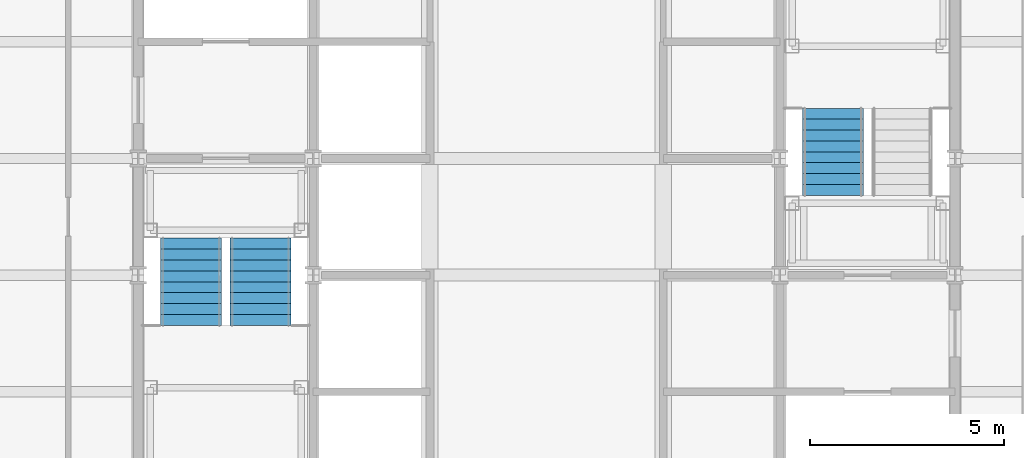
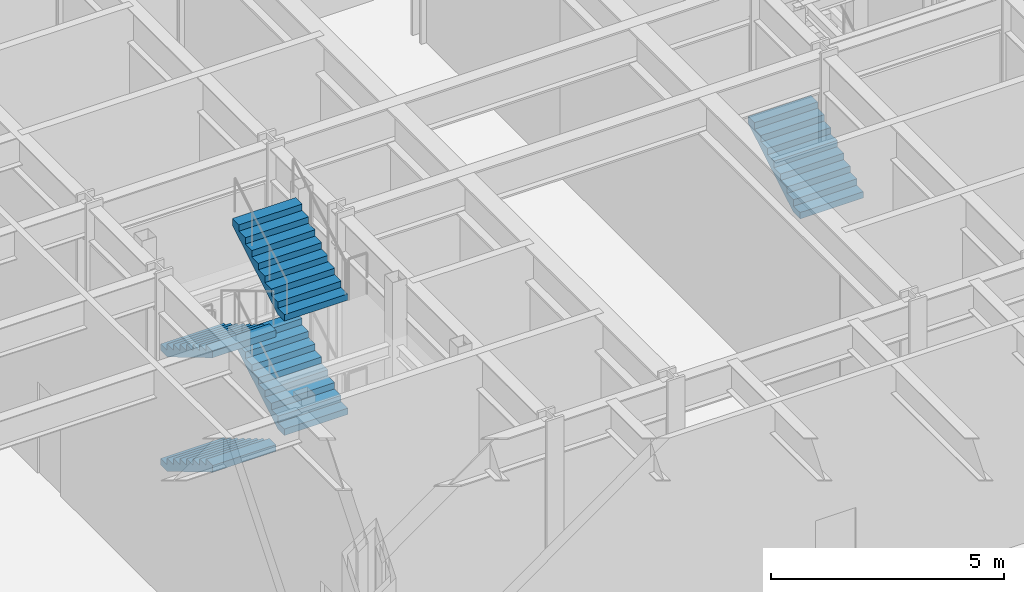
# One storey, part 18 of 28: 5 stair flights, 2 elements without a shape of their own.
"""IFC4 building model written with IfcOpenShell, lengths in metres."""

from ifc_helpers import new_model, si_unit, direction, frame, origin, place, context, subcontext, project, spatial, faceted_brep, material, type_object, element, aggregate, save


model = new_model("IFC4")

# Units and contexts
model_context = context("Model", 3, precision=1e-05, world=origin(), true_north=direction((0.0, 1.0)))
body_context = subcontext(model_context, "Body", "Model", "MODEL_VIEW")
ifc_project = project(units=[si_unit("LENGTHUNIT", "METRE"), si_unit("AREAUNIT", "SQUARE_METRE"), si_unit("VOLUMEUNIT", "CUBIC_METRE"), si_unit("PLANEANGLEUNIT", "RADIAN"), si_unit("MASSUNIT", "GRAM", prefix="KILO")], contexts=[model_context])

# Site, building, storey
site_placement = place(None, origin())
site = spatial("IfcSite", under=ifc_project, at=site_placement, CompositionType="ELEMENT")
building_placement = place(site_placement, origin())
building = spatial("IfcBuilding", under=site, at=building_placement, Name="Chuquiago Exchange Tower", CompositionType="ELEMENT")
storey_placement = place(building_placement, frame((0.0, 0.0, 300.0)))
storey = spatial("IfcBuildingStorey", under=building, at=storey_placement, Name="L67", CompositionType="ELEMENT", Elevation=300.0)

# Stair, stair flights
ifc_material_1 = material(Name="Concrete C30/37, precast", Category="concrete")
stair_type_1 = type_object("IfcStairType", Name="ST1 double half-turn stair 6000", PredefinedType="DOUBLE_RETURN_STAIR", material=ifc_material_1)
stair_1_placement = place(storey_placement, origin())
stair_1 = element("IfcStair", 1, at=stair_1_placement, inside=storey, type_object=stair_type_1, Name="Stair ST1 L67", PredefinedType="DOUBLE_RETURN_STAIR")
ifc_material_2 = material(Name="Concrete C30/37, precast", Category="concrete")
stair_flight_type = type_object("IfcStairFlightType", Name="ST-F flight 1570 for 6000 storey", PredefinedType="STRAIGHT", material=ifc_material_2)
stair_flight_1_placement = place(storey_placement, frame((13.360107421875, 21.949951171875, 0.0), z_axis=(0.0, 0.0, 1.0), x_axis=(0.0, -1.0, 0.0)))
stair_flight_1 = element("IfcStairFlight", 2, at=stair_flight_1_placement, type_object=stair_flight_type, Name="ST1 flight 1", NumberOfRisers=9, NumberOfTreads=8, PredefinedType="STRAIGHT", RiserHeight=0.166666667, TreadLength=0.28, context=body_context, shape_type="Brep", body=[
    faceted_brep([(0.0, 0.78515625, 0.0), (0.0, 0.78515625, 0.166748046875), (0.280029296875, 0.78515625, 0.166748046875), (0.280029296875, 0.78515625, 0.333251953125), (0.56005859375, 0.78515625, 0.333251953125), (0.56005859375, 0.78515625, 0.5), (0.840087890625, 0.78515625, 0.5), (0.840087890625, 0.78515625, 0.666748046875), (1.1201171875, 0.78515625, 0.666748046875), (1.1201171875, 0.78515625, 0.833251953125), (1.39990234375, 0.78515625, 0.833251953125), (1.39990234375, 0.78515625, 1.0), (1.679931640625, 0.78515625, 1.0), (1.679931640625, 0.78515625, 1.166748046875), (1.9599609375, 0.78515625, 1.166748046875), (1.9599609375, 0.78515625, 1.333251953125), (2.239990234375, 0.78515625, 1.333251953125), (2.239990234375, 0.78515625, 1.158935546875), (0.29296875, 0.78515625, 0.0), (0.29296875, -0.78515625, 0.0), (2.239990234375, -0.78515625, 1.158935546875), (2.239990234375, -0.78515625, 1.333251953125), (1.9599609375, -0.78515625, 1.333251953125), (1.9599609375, -0.78515625, 1.166748046875), (1.679931640625, -0.78515625, 1.166748046875), (1.679931640625, -0.78515625, 1.0), (1.39990234375, -0.78515625, 1.0), (1.39990234375, -0.78515625, 0.833251953125), (1.1201171875, -0.78515625, 0.833251953125), (1.1201171875, -0.78515625, 0.666748046875), (0.840087890625, -0.78515625, 0.666748046875), (0.840087890625, -0.78515625, 0.5), (0.56005859375, -0.78515625, 0.5), (0.56005859375, -0.78515625, 0.333251953125), (0.280029296875, -0.78515625, 0.333251953125), (0.280029296875, -0.78515625, 0.166748046875), (0.0, -0.78515625, 0.166748046875), (0.0, -0.78515625, 0.0), (0.0, 0.392578125, 0.0), (0.0, 0.392578125, 0.166748046875), (0.0, 0.0, 0.0), (0.0, 0.0, 0.166748046875), (0.0, -0.392578125, 0.0), (0.0, -0.392578125, 0.166748046875), (0.280029296875, 0.392578125, 0.166748046875), (0.280029296875, 0.0, 0.166748046875), (0.280029296875, -0.392578125, 0.166748046875), (0.280029296875, 0.392578125, 0.333251953125), (0.280029296875, 0.0, 0.333251953125), (0.280029296875, -0.392578125, 0.333251953125), (0.56005859375, 0.392578125, 0.333251953125), (0.56005859375, 0.0, 0.333251953125), (0.56005859375, -0.392578125, 0.333251953125), (0.56005859375, 0.392578125, 0.5), (0.56005859375, 0.0, 0.5), (0.56005859375, -0.392578125, 0.5), (0.840087890625, 0.392578125, 0.5), (0.840087890625, 0.0, 0.5), (0.840087890625, -0.392578125, 0.5), (0.840087890625, 0.392578125, 0.666748046875), (0.840087890625, 0.0, 0.666748046875), (0.840087890625, -0.392578125, 0.666748046875), (1.1201171875, 0.392578125, 0.666748046875), (1.1201171875, 0.0, 0.666748046875), (1.1201171875, -0.392578125, 0.666748046875), (1.1201171875, 0.392578125, 0.833251953125), (1.1201171875, 0.0, 0.833251953125), (1.1201171875, -0.392578125, 0.833251953125), (1.39990234375, 0.392578125, 0.833251953125), (1.39990234375, 0.0, 0.833251953125), (1.39990234375, -0.392578125, 0.833251953125), (1.39990234375, 0.392578125, 1.0), (1.39990234375, 0.0, 1.0), (1.39990234375, -0.392578125, 1.0), (1.679931640625, 0.392578125, 1.0), (1.679931640625, 0.0, 1.0), (1.679931640625, -0.392578125, 1.0), (1.679931640625, 0.392578125, 1.166748046875), (1.679931640625, 0.0, 1.166748046875), (1.679931640625, -0.392578125, 1.166748046875), (1.9599609375, 0.392578125, 1.166748046875), (1.9599609375, 0.0, 1.166748046875), (1.9599609375, -0.392578125, 1.166748046875), (1.9599609375, 0.392578125, 1.333251953125), (1.9599609375, 0.0, 1.333251953125), (1.9599609375, -0.392578125, 1.333251953125), (2.239990234375, 0.392578125, 1.333251953125), (2.239990234375, 0.0, 1.333251953125), (2.239990234375, -0.392578125, 1.333251953125), (2.239990234375, 0.392578125, 1.158935546875), (2.239990234375, 0.0, 1.158935546875), (2.239990234375, -0.392578125, 1.158935546875), (0.29296875, 0.392578125, 0.0), (0.29296875, 0.0, 0.0), (0.29296875, -0.392578125, 0.0)], [[[0, 1, 2, 3, 4, 5, 6, 7, 8, 9, 10, 11, 12, 13, 14, 15, 16, 17, 18]], [[19, 20, 21, 22, 23, 24, 25, 26, 27, 28, 29, 30, 31, 32, 33, 34, 35, 36, 37]], [[1, 0, 38, 39]], [[39, 38, 40, 41]], [[41, 40, 42, 43]], [[43, 42, 37, 36]], [[2, 1, 39, 44]], [[44, 39, 41, 45]], [[45, 41, 43, 46]], [[46, 43, 36, 35]], [[3, 2, 44, 47]], [[47, 44, 45, 48]], [[48, 45, 46, 49]], [[49, 46, 35, 34]], [[4, 3, 47, 50]], [[50, 47, 48, 51]], [[51, 48, 49, 52]], [[52, 49, 34, 33]], [[5, 4, 50, 53]], [[53, 50, 51, 54]], [[54, 51, 52, 55]], [[55, 52, 33, 32]], [[6, 5, 53, 56]], [[56, 53, 54, 57]], [[57, 54, 55, 58]], [[58, 55, 32, 31]], [[7, 6, 56, 59]], [[59, 56, 57, 60]], [[60, 57, 58, 61]], [[61, 58, 31, 30]], [[8, 7, 59, 62]], [[62, 59, 60, 63]], [[63, 60, 61, 64]], [[64, 61, 30, 29]], [[9, 8, 62, 65]], [[65, 62, 63, 66]], [[66, 63, 64, 67]], [[67, 64, 29, 28]], [[10, 9, 65, 68]], [[68, 65, 66, 69]], [[69, 66, 67, 70]], [[70, 67, 28, 27]], [[11, 10, 68, 71]], [[71, 68, 69, 72]], [[72, 69, 70, 73]], [[73, 70, 27, 26]], [[12, 11, 71, 74]], [[74, 71, 72, 75]], [[75, 72, 73, 76]], [[76, 73, 26, 25]], [[13, 12, 74, 77]], [[77, 74, 75, 78]], [[78, 75, 76, 79]], [[79, 76, 25, 24]], [[14, 13, 77, 80]], [[80, 77, 78, 81]], [[81, 78, 79, 82]], [[82, 79, 24, 23]], [[15, 14, 80, 83]], [[83, 80, 81, 84]], [[84, 81, 82, 85]], [[85, 82, 23, 22]], [[16, 15, 83, 86]], [[86, 83, 84, 87]], [[87, 84, 85, 88]], [[88, 85, 22, 21]], [[17, 16, 86, 89]], [[89, 86, 87, 90]], [[90, 87, 88, 91]], [[91, 88, 21, 20]], [[18, 17, 89, 92]], [[92, 89, 90, 93]], [[93, 90, 91, 94]], [[94, 91, 20, 19]], [[0, 18, 92, 38]], [[38, 92, 93, 40]], [[40, 93, 94, 42]], [[42, 94, 19, 37]]]),
])
stair_flight_2_placement = place(storey_placement, frame((15.139892578125, 19.7099609375, 1.5), z_axis=(0.0, 0.0, 1.0), x_axis=(0.0, 1.0, 0.0)))
stair_flight_2 = element("IfcStairFlight", 3, at=stair_flight_2_placement, type_object=stair_flight_type, Name="ST1 flight 2", NumberOfRisers=9, NumberOfTreads=8, PredefinedType="STRAIGHT", RiserHeight=0.166666667, TreadLength=0.28, context=body_context, shape_type="Brep", body=[
    faceted_brep([(0.0, 0.78515625, 0.0), (0.0, 0.78515625, 0.166748046875), (0.280029296875, 0.78515625, 0.166748046875), (0.280029296875, 0.78515625, 0.333251953125), (0.56005859375, 0.78515625, 0.333251953125), (0.56005859375, 0.78515625, 0.5), (0.840087890625, 0.78515625, 0.5), (0.840087890625, 0.78515625, 0.666748046875), (1.1201171875, 0.78515625, 0.666748046875), (1.1201171875, 0.78515625, 0.833251953125), (1.39990234375, 0.78515625, 0.833251953125), (1.39990234375, 0.78515625, 1.0), (1.679931640625, 0.78515625, 1.0), (1.679931640625, 0.78515625, 1.166748046875), (1.9599609375, 0.78515625, 1.166748046875), (1.9599609375, 0.78515625, 1.333251953125), (2.239990234375, 0.78515625, 1.333251953125), (2.239990234375, 0.78515625, 1.158935546875), (0.29296875, 0.78515625, 0.0), (0.29296875, -0.78515625, 0.0), (2.239990234375, -0.78515625, 1.158935546875), (2.239990234375, -0.78515625, 1.333251953125), (1.9599609375, -0.78515625, 1.333251953125), (1.9599609375, -0.78515625, 1.166748046875), (1.679931640625, -0.78515625, 1.166748046875), (1.679931640625, -0.78515625, 1.0), (1.39990234375, -0.78515625, 1.0), (1.39990234375, -0.78515625, 0.833251953125), (1.1201171875, -0.78515625, 0.833251953125), (1.1201171875, -0.78515625, 0.666748046875), (0.840087890625, -0.78515625, 0.666748046875), (0.840087890625, -0.78515625, 0.5), (0.56005859375, -0.78515625, 0.5), (0.56005859375, -0.78515625, 0.333251953125), (0.280029296875, -0.78515625, 0.333251953125), (0.280029296875, -0.78515625, 0.166748046875), (0.0, -0.78515625, 0.166748046875), (0.0, -0.78515625, 0.0), (0.0, 0.392578125, 0.0), (0.0, 0.392578125, 0.166748046875), (0.0, 0.0, 0.0), (0.0, 0.0, 0.166748046875), (0.0, -0.392578125, 0.0), (0.0, -0.392578125, 0.166748046875), (0.280029296875, 0.392578125, 0.166748046875), (0.280029296875, 0.0, 0.166748046875), (0.280029296875, -0.392578125, 0.166748046875), (0.280029296875, 0.392578125, 0.333251953125), (0.280029296875, 0.0, 0.333251953125), (0.280029296875, -0.392578125, 0.333251953125), (0.56005859375, 0.392578125, 0.333251953125), (0.56005859375, 0.0, 0.333251953125), (0.56005859375, -0.392578125, 0.333251953125), (0.56005859375, 0.392578125, 0.5), (0.56005859375, 0.0, 0.5), (0.56005859375, -0.392578125, 0.5), (0.840087890625, 0.392578125, 0.5), (0.840087890625, 0.0, 0.5), (0.840087890625, -0.392578125, 0.5), (0.840087890625, 0.392578125, 0.666748046875), (0.840087890625, 0.0, 0.666748046875), (0.840087890625, -0.392578125, 0.666748046875), (1.1201171875, 0.392578125, 0.666748046875), (1.1201171875, 0.0, 0.666748046875), (1.1201171875, -0.392578125, 0.666748046875), (1.1201171875, 0.392578125, 0.833251953125), (1.1201171875, 0.0, 0.833251953125), (1.1201171875, -0.392578125, 0.833251953125), (1.39990234375, 0.392578125, 0.833251953125), (1.39990234375, 0.0, 0.833251953125), (1.39990234375, -0.392578125, 0.833251953125), (1.39990234375, 0.392578125, 1.0), (1.39990234375, 0.0, 1.0), (1.39990234375, -0.392578125, 1.0), (1.679931640625, 0.392578125, 1.0), (1.679931640625, 0.0, 1.0), (1.679931640625, -0.392578125, 1.0), (1.679931640625, 0.392578125, 1.166748046875), (1.679931640625, 0.0, 1.166748046875), (1.679931640625, -0.392578125, 1.166748046875), (1.9599609375, 0.392578125, 1.166748046875), (1.9599609375, 0.0, 1.166748046875), (1.9599609375, -0.392578125, 1.166748046875), (1.9599609375, 0.392578125, 1.333251953125), (1.9599609375, 0.0, 1.333251953125), (1.9599609375, -0.392578125, 1.333251953125), (2.239990234375, 0.392578125, 1.333251953125), (2.239990234375, 0.0, 1.333251953125), (2.239990234375, -0.392578125, 1.333251953125), (2.239990234375, 0.392578125, 1.158935546875), (2.239990234375, 0.0, 1.158935546875), (2.239990234375, -0.392578125, 1.158935546875), (0.29296875, 0.392578125, 0.0), (0.29296875, 0.0, 0.0), (0.29296875, -0.392578125, 0.0)], [[[0, 1, 2, 3, 4, 5, 6, 7, 8, 9, 10, 11, 12, 13, 14, 15, 16, 17, 18]], [[19, 20, 21, 22, 23, 24, 25, 26, 27, 28, 29, 30, 31, 32, 33, 34, 35, 36, 37]], [[1, 0, 38, 39]], [[39, 38, 40, 41]], [[41, 40, 42, 43]], [[43, 42, 37, 36]], [[2, 1, 39, 44]], [[44, 39, 41, 45]], [[45, 41, 43, 46]], [[46, 43, 36, 35]], [[3, 2, 44, 47]], [[47, 44, 45, 48]], [[48, 45, 46, 49]], [[49, 46, 35, 34]], [[4, 3, 47, 50]], [[50, 47, 48, 51]], [[51, 48, 49, 52]], [[52, 49, 34, 33]], [[5, 4, 50, 53]], [[53, 50, 51, 54]], [[54, 51, 52, 55]], [[55, 52, 33, 32]], [[6, 5, 53, 56]], [[56, 53, 54, 57]], [[57, 54, 55, 58]], [[58, 55, 32, 31]], [[7, 6, 56, 59]], [[59, 56, 57, 60]], [[60, 57, 58, 61]], [[61, 58, 31, 30]], [[8, 7, 59, 62]], [[62, 59, 60, 63]], [[63, 60, 61, 64]], [[64, 61, 30, 29]], [[9, 8, 62, 65]], [[65, 62, 63, 66]], [[66, 63, 64, 67]], [[67, 64, 29, 28]], [[10, 9, 65, 68]], [[68, 65, 66, 69]], [[69, 66, 67, 70]], [[70, 67, 28, 27]], [[11, 10, 68, 71]], [[71, 68, 69, 72]], [[72, 69, 70, 73]], [[73, 70, 27, 26]], [[12, 11, 71, 74]], [[74, 71, 72, 75]], [[75, 72, 73, 76]], [[76, 73, 26, 25]], [[13, 12, 74, 77]], [[77, 74, 75, 78]], [[78, 75, 76, 79]], [[79, 76, 25, 24]], [[14, 13, 77, 80]], [[80, 77, 78, 81]], [[81, 78, 79, 82]], [[82, 79, 24, 23]], [[15, 14, 80, 83]], [[83, 80, 81, 84]], [[84, 81, 82, 85]], [[85, 82, 23, 22]], [[16, 15, 83, 86]], [[86, 83, 84, 87]], [[87, 84, 85, 88]], [[88, 85, 22, 21]], [[17, 16, 86, 89]], [[89, 86, 87, 90]], [[90, 87, 88, 91]], [[91, 88, 21, 20]], [[18, 17, 89, 92]], [[92, 89, 90, 93]], [[93, 90, 91, 94]], [[94, 91, 20, 19]], [[0, 18, 92, 38]], [[38, 92, 93, 40]], [[40, 93, 94, 42]], [[42, 94, 19, 37]]]),
])
stair_flight_3_placement = place(storey_placement, frame((13.360107421875, 21.949951171875, 3.0), z_axis=(0.0, 0.0, 1.0), x_axis=(0.0, -1.0, 0.0)))
stair_flight_3 = element("IfcStairFlight", 4, at=stair_flight_3_placement, type_object=stair_flight_type, Name="ST1 flight 3", NumberOfRisers=9, NumberOfTreads=8, PredefinedType="STRAIGHT", RiserHeight=0.166666667, TreadLength=0.28, context=body_context, shape_type="Brep", body=[
    faceted_brep([(0.0, 0.78515625, 0.0), (0.0, 0.78515625, 0.166748046875), (0.280029296875, 0.78515625, 0.166748046875), (0.280029296875, 0.78515625, 0.333251953125), (0.56005859375, 0.78515625, 0.333251953125), (0.56005859375, 0.78515625, 0.5), (0.840087890625, 0.78515625, 0.5), (0.840087890625, 0.78515625, 0.666748046875), (1.1201171875, 0.78515625, 0.666748046875), (1.1201171875, 0.78515625, 0.833251953125), (1.39990234375, 0.78515625, 0.833251953125), (1.39990234375, 0.78515625, 1.0), (1.679931640625, 0.78515625, 1.0), (1.679931640625, 0.78515625, 1.166748046875), (1.9599609375, 0.78515625, 1.166748046875), (1.9599609375, 0.78515625, 1.333251953125), (2.239990234375, 0.78515625, 1.333251953125), (2.239990234375, 0.78515625, 1.158935546875), (0.29296875, 0.78515625, 0.0), (0.29296875, -0.78515625, 0.0), (2.239990234375, -0.78515625, 1.158935546875), (2.239990234375, -0.78515625, 1.333251953125), (1.9599609375, -0.78515625, 1.333251953125), (1.9599609375, -0.78515625, 1.166748046875), (1.679931640625, -0.78515625, 1.166748046875), (1.679931640625, -0.78515625, 1.0), (1.39990234375, -0.78515625, 1.0), (1.39990234375, -0.78515625, 0.833251953125), (1.1201171875, -0.78515625, 0.833251953125), (1.1201171875, -0.78515625, 0.666748046875), (0.840087890625, -0.78515625, 0.666748046875), (0.840087890625, -0.78515625, 0.5), (0.56005859375, -0.78515625, 0.5), (0.56005859375, -0.78515625, 0.333251953125), (0.280029296875, -0.78515625, 0.333251953125), (0.280029296875, -0.78515625, 0.166748046875), (0.0, -0.78515625, 0.166748046875), (0.0, -0.78515625, 0.0), (0.0, 0.392578125, 0.0), (0.0, 0.392578125, 0.166748046875), (0.0, 0.0, 0.0), (0.0, 0.0, 0.166748046875), (0.0, -0.392578125, 0.0), (0.0, -0.392578125, 0.166748046875), (0.280029296875, 0.392578125, 0.166748046875), (0.280029296875, 0.0, 0.166748046875), (0.280029296875, -0.392578125, 0.166748046875), (0.280029296875, 0.392578125, 0.333251953125), (0.280029296875, 0.0, 0.333251953125), (0.280029296875, -0.392578125, 0.333251953125), (0.56005859375, 0.392578125, 0.333251953125), (0.56005859375, 0.0, 0.333251953125), (0.56005859375, -0.392578125, 0.333251953125), (0.56005859375, 0.392578125, 0.5), (0.56005859375, 0.0, 0.5), (0.56005859375, -0.392578125, 0.5), (0.840087890625, 0.392578125, 0.5), (0.840087890625, 0.0, 0.5), (0.840087890625, -0.392578125, 0.5), (0.840087890625, 0.392578125, 0.666748046875), (0.840087890625, 0.0, 0.666748046875), (0.840087890625, -0.392578125, 0.666748046875), (1.1201171875, 0.392578125, 0.666748046875), (1.1201171875, 0.0, 0.666748046875), (1.1201171875, -0.392578125, 0.666748046875), (1.1201171875, 0.392578125, 0.833251953125), (1.1201171875, 0.0, 0.833251953125), (1.1201171875, -0.392578125, 0.833251953125), (1.39990234375, 0.392578125, 0.833251953125), (1.39990234375, 0.0, 0.833251953125), (1.39990234375, -0.392578125, 0.833251953125), (1.39990234375, 0.392578125, 1.0), (1.39990234375, 0.0, 1.0), (1.39990234375, -0.392578125, 1.0), (1.679931640625, 0.392578125, 1.0), (1.679931640625, 0.0, 1.0), (1.679931640625, -0.392578125, 1.0), (1.679931640625, 0.392578125, 1.166748046875), (1.679931640625, 0.0, 1.166748046875), (1.679931640625, -0.392578125, 1.166748046875), (1.9599609375, 0.392578125, 1.166748046875), (1.9599609375, 0.0, 1.166748046875), (1.9599609375, -0.392578125, 1.166748046875), (1.9599609375, 0.392578125, 1.333251953125), (1.9599609375, 0.0, 1.333251953125), (1.9599609375, -0.392578125, 1.333251953125), (2.239990234375, 0.392578125, 1.333251953125), (2.239990234375, 0.0, 1.333251953125), (2.239990234375, -0.392578125, 1.333251953125), (2.239990234375, 0.392578125, 1.158935546875), (2.239990234375, 0.0, 1.158935546875), (2.239990234375, -0.392578125, 1.158935546875), (0.29296875, 0.392578125, 0.0), (0.29296875, 0.0, 0.0), (0.29296875, -0.392578125, 0.0)], [[[0, 1, 2, 3, 4, 5, 6, 7, 8, 9, 10, 11, 12, 13, 14, 15, 16, 17, 18]], [[19, 20, 21, 22, 23, 24, 25, 26, 27, 28, 29, 30, 31, 32, 33, 34, 35, 36, 37]], [[1, 0, 38, 39]], [[39, 38, 40, 41]], [[41, 40, 42, 43]], [[43, 42, 37, 36]], [[2, 1, 39, 44]], [[44, 39, 41, 45]], [[45, 41, 43, 46]], [[46, 43, 36, 35]], [[3, 2, 44, 47]], [[47, 44, 45, 48]], [[48, 45, 46, 49]], [[49, 46, 35, 34]], [[4, 3, 47, 50]], [[50, 47, 48, 51]], [[51, 48, 49, 52]], [[52, 49, 34, 33]], [[5, 4, 50, 53]], [[53, 50, 51, 54]], [[54, 51, 52, 55]], [[55, 52, 33, 32]], [[6, 5, 53, 56]], [[56, 53, 54, 57]], [[57, 54, 55, 58]], [[58, 55, 32, 31]], [[7, 6, 56, 59]], [[59, 56, 57, 60]], [[60, 57, 58, 61]], [[61, 58, 31, 30]], [[8, 7, 59, 62]], [[62, 59, 60, 63]], [[63, 60, 61, 64]], [[64, 61, 30, 29]], [[9, 8, 62, 65]], [[65, 62, 63, 66]], [[66, 63, 64, 67]], [[67, 64, 29, 28]], [[10, 9, 65, 68]], [[68, 65, 66, 69]], [[69, 66, 67, 70]], [[70, 67, 28, 27]], [[11, 10, 68, 71]], [[71, 68, 69, 72]], [[72, 69, 70, 73]], [[73, 70, 27, 26]], [[12, 11, 71, 74]], [[74, 71, 72, 75]], [[75, 72, 73, 76]], [[76, 73, 26, 25]], [[13, 12, 74, 77]], [[77, 74, 75, 78]], [[78, 75, 76, 79]], [[79, 76, 25, 24]], [[14, 13, 77, 80]], [[80, 77, 78, 81]], [[81, 78, 79, 82]], [[82, 79, 24, 23]], [[15, 14, 80, 83]], [[83, 80, 81, 84]], [[84, 81, 82, 85]], [[85, 82, 23, 22]], [[16, 15, 83, 86]], [[86, 83, 84, 87]], [[87, 84, 85, 88]], [[88, 85, 22, 21]], [[17, 16, 86, 89]], [[89, 86, 87, 90]], [[90, 87, 88, 91]], [[91, 88, 21, 20]], [[18, 17, 89, 92]], [[92, 89, 90, 93]], [[93, 90, 91, 94]], [[94, 91, 20, 19]], [[0, 18, 92, 38]], [[38, 92, 93, 40]], [[40, 93, 94, 42]], [[42, 94, 19, 37]]]),
])
stair_flight_4_placement = place(storey_placement, frame((15.139892578125, 19.7099609375, 4.5), z_axis=(0.0, 0.0, 1.0), x_axis=(0.0, 1.0, 0.0)))
stair_flight_4 = element("IfcStairFlight", 5, at=stair_flight_4_placement, type_object=stair_flight_type, Name="ST1 flight 4", NumberOfRisers=9, NumberOfTreads=8, PredefinedType="STRAIGHT", RiserHeight=0.166666667, TreadLength=0.28, context=body_context, shape_type="Brep", body=[
    faceted_brep([(0.0, 0.78515625, 0.0), (0.0, 0.78515625, 0.166748046875), (0.280029296875, 0.78515625, 0.166748046875), (0.280029296875, 0.78515625, 0.333251953125), (0.56005859375, 0.78515625, 0.333251953125), (0.56005859375, 0.78515625, 0.5), (0.840087890625, 0.78515625, 0.5), (0.840087890625, 0.78515625, 0.666748046875), (1.1201171875, 0.78515625, 0.666748046875), (1.1201171875, 0.78515625, 0.833251953125), (1.39990234375, 0.78515625, 0.833251953125), (1.39990234375, 0.78515625, 1.0), (1.679931640625, 0.78515625, 1.0), (1.679931640625, 0.78515625, 1.166748046875), (1.9599609375, 0.78515625, 1.166748046875), (1.9599609375, 0.78515625, 1.333251953125), (2.239990234375, 0.78515625, 1.333251953125), (2.239990234375, 0.78515625, 1.158935546875), (0.29296875, 0.78515625, 0.0), (0.29296875, -0.78515625, 0.0), (2.239990234375, -0.78515625, 1.158935546875), (2.239990234375, -0.78515625, 1.333251953125), (1.9599609375, -0.78515625, 1.333251953125), (1.9599609375, -0.78515625, 1.166748046875), (1.679931640625, -0.78515625, 1.166748046875), (1.679931640625, -0.78515625, 1.0), (1.39990234375, -0.78515625, 1.0), (1.39990234375, -0.78515625, 0.833251953125), (1.1201171875, -0.78515625, 0.833251953125), (1.1201171875, -0.78515625, 0.666748046875), (0.840087890625, -0.78515625, 0.666748046875), (0.840087890625, -0.78515625, 0.5), (0.56005859375, -0.78515625, 0.5), (0.56005859375, -0.78515625, 0.333251953125), (0.280029296875, -0.78515625, 0.333251953125), (0.280029296875, -0.78515625, 0.166748046875), (0.0, -0.78515625, 0.166748046875), (0.0, -0.78515625, 0.0), (0.0, 0.392578125, 0.0), (0.0, 0.392578125, 0.166748046875), (0.0, 0.0, 0.0), (0.0, 0.0, 0.166748046875), (0.0, -0.392578125, 0.0), (0.0, -0.392578125, 0.166748046875), (0.280029296875, 0.392578125, 0.166748046875), (0.280029296875, 0.0, 0.166748046875), (0.280029296875, -0.392578125, 0.166748046875), (0.280029296875, 0.392578125, 0.333251953125), (0.280029296875, 0.0, 0.333251953125), (0.280029296875, -0.392578125, 0.333251953125), (0.56005859375, 0.392578125, 0.333251953125), (0.56005859375, 0.0, 0.333251953125), (0.56005859375, -0.392578125, 0.333251953125), (0.56005859375, 0.392578125, 0.5), (0.56005859375, 0.0, 0.5), (0.56005859375, -0.392578125, 0.5), (0.840087890625, 0.392578125, 0.5), (0.840087890625, 0.0, 0.5), (0.840087890625, -0.392578125, 0.5), (0.840087890625, 0.392578125, 0.666748046875), (0.840087890625, 0.0, 0.666748046875), (0.840087890625, -0.392578125, 0.666748046875), (1.1201171875, 0.392578125, 0.666748046875), (1.1201171875, 0.0, 0.666748046875), (1.1201171875, -0.392578125, 0.666748046875), (1.1201171875, 0.392578125, 0.833251953125), (1.1201171875, 0.0, 0.833251953125), (1.1201171875, -0.392578125, 0.833251953125), (1.39990234375, 0.392578125, 0.833251953125), (1.39990234375, 0.0, 0.833251953125), (1.39990234375, -0.392578125, 0.833251953125), (1.39990234375, 0.392578125, 1.0), (1.39990234375, 0.0, 1.0), (1.39990234375, -0.392578125, 1.0), (1.679931640625, 0.392578125, 1.0), (1.679931640625, 0.0, 1.0), (1.679931640625, -0.392578125, 1.0), (1.679931640625, 0.392578125, 1.166748046875), (1.679931640625, 0.0, 1.166748046875), (1.679931640625, -0.392578125, 1.166748046875), (1.9599609375, 0.392578125, 1.166748046875), (1.9599609375, 0.0, 1.166748046875), (1.9599609375, -0.392578125, 1.166748046875), (1.9599609375, 0.392578125, 1.333251953125), (1.9599609375, 0.0, 1.333251953125), (1.9599609375, -0.392578125, 1.333251953125), (2.239990234375, 0.392578125, 1.333251953125), (2.239990234375, 0.0, 1.333251953125), (2.239990234375, -0.392578125, 1.333251953125), (2.239990234375, 0.392578125, 1.158935546875), (2.239990234375, 0.0, 1.158935546875), (2.239990234375, -0.392578125, 1.158935546875), (0.29296875, 0.392578125, 0.0), (0.29296875, 0.0, 0.0), (0.29296875, -0.392578125, 0.0)], [[[0, 1, 2, 3, 4, 5, 6, 7, 8, 9, 10, 11, 12, 13, 14, 15, 16, 17, 18]], [[19, 20, 21, 22, 23, 24, 25, 26, 27, 28, 29, 30, 31, 32, 33, 34, 35, 36, 37]], [[1, 0, 38, 39]], [[39, 38, 40, 41]], [[41, 40, 42, 43]], [[43, 42, 37, 36]], [[2, 1, 39, 44]], [[44, 39, 41, 45]], [[45, 41, 43, 46]], [[46, 43, 36, 35]], [[3, 2, 44, 47]], [[47, 44, 45, 48]], [[48, 45, 46, 49]], [[49, 46, 35, 34]], [[4, 3, 47, 50]], [[50, 47, 48, 51]], [[51, 48, 49, 52]], [[52, 49, 34, 33]], [[5, 4, 50, 53]], [[53, 50, 51, 54]], [[54, 51, 52, 55]], [[55, 52, 33, 32]], [[6, 5, 53, 56]], [[56, 53, 54, 57]], [[57, 54, 55, 58]], [[58, 55, 32, 31]], [[7, 6, 56, 59]], [[59, 56, 57, 60]], [[60, 57, 58, 61]], [[61, 58, 31, 30]], [[8, 7, 59, 62]], [[62, 59, 60, 63]], [[63, 60, 61, 64]], [[64, 61, 30, 29]], [[9, 8, 62, 65]], [[65, 62, 63, 66]], [[66, 63, 64, 67]], [[67, 64, 29, 28]], [[10, 9, 65, 68]], [[68, 65, 66, 69]], [[69, 66, 67, 70]], [[70, 67, 28, 27]], [[11, 10, 68, 71]], [[71, 68, 69, 72]], [[72, 69, 70, 73]], [[73, 70, 27, 26]], [[12, 11, 71, 74]], [[74, 71, 72, 75]], [[75, 72, 73, 76]], [[76, 73, 26, 25]], [[13, 12, 74, 77]], [[77, 74, 75, 78]], [[78, 75, 76, 79]], [[79, 76, 25, 24]], [[14, 13, 77, 80]], [[80, 77, 78, 81]], [[81, 78, 79, 82]], [[82, 79, 24, 23]], [[15, 14, 80, 83]], [[83, 80, 81, 84]], [[84, 81, 82, 85]], [[85, 82, 23, 22]], [[16, 15, 83, 86]], [[86, 83, 84, 87]], [[87, 84, 85, 88]], [[88, 85, 22, 21]], [[17, 16, 86, 89]], [[89, 86, 87, 90]], [[90, 87, 88, 91]], [[91, 88, 21, 20]], [[18, 17, 89, 92]], [[92, 89, 90, 93]], [[93, 90, 91, 94]], [[94, 91, 20, 19]], [[0, 18, 92, 38]], [[38, 92, 93, 40]], [[40, 93, 94, 42]], [[42, 94, 19, 37]]]),
])
aggregate(stair_1, [stair_flight_1, stair_flight_2, stair_flight_3, stair_flight_4])

# Stair, stair flight
ifc_material_3 = material(Name="Concrete C30/37, precast", Category="concrete")
stair_type_2 = type_object("IfcStairType", Name="ST2 double half-turn stair 6000", PredefinedType="DOUBLE_RETURN_STAIR", material=ifc_material_3)
stair_2_placement = place(storey_placement, origin())
stair_2 = element("IfcStair", 6, at=stair_2_placement, inside=storey, type_object=stair_type_2, Name="Stair ST2 L67", PredefinedType="DOUBLE_RETURN_STAIR")
stair_flight_5_placement = place(storey_placement, frame((29.860107421875, 23.050048828125, 0.0), z_axis=(0.0, 0.0, 1.0), x_axis=(0.0, 1.0, 0.0)))
stair_flight_5 = element("IfcStairFlight", 7, at=stair_flight_5_placement, type_object=stair_flight_type, Name="ST2 flight 1", NumberOfRisers=9, NumberOfTreads=8, PredefinedType="STRAIGHT", RiserHeight=0.166666667, TreadLength=0.28, context=body_context, shape_type="Brep", body=[
    faceted_brep([(0.0, 0.78515625, 0.0), (0.0, 0.78515625, 0.166748046875), (0.280029296875, 0.78515625, 0.166748046875), (0.280029296875, 0.78515625, 0.333251953125), (0.56005859375, 0.78515625, 0.333251953125), (0.56005859375, 0.78515625, 0.5), (0.840087890625, 0.78515625, 0.5), (0.840087890625, 0.78515625, 0.666748046875), (1.1201171875, 0.78515625, 0.666748046875), (1.1201171875, 0.78515625, 0.833251953125), (1.39990234375, 0.78515625, 0.833251953125), (1.39990234375, 0.78515625, 1.0), (1.679931640625, 0.78515625, 1.0), (1.679931640625, 0.78515625, 1.166748046875), (1.9599609375, 0.78515625, 1.166748046875), (1.9599609375, 0.78515625, 1.333251953125), (2.239990234375, 0.78515625, 1.333251953125), (2.239990234375, 0.78515625, 1.158935546875), (0.29296875, 0.78515625, 0.0), (0.29296875, -0.78515625, 0.0), (2.239990234375, -0.78515625, 1.158935546875), (2.239990234375, -0.78515625, 1.333251953125), (1.9599609375, -0.78515625, 1.333251953125), (1.9599609375, -0.78515625, 1.166748046875), (1.679931640625, -0.78515625, 1.166748046875), (1.679931640625, -0.78515625, 1.0), (1.39990234375, -0.78515625, 1.0), (1.39990234375, -0.78515625, 0.833251953125), (1.1201171875, -0.78515625, 0.833251953125), (1.1201171875, -0.78515625, 0.666748046875), (0.840087890625, -0.78515625, 0.666748046875), (0.840087890625, -0.78515625, 0.5), (0.56005859375, -0.78515625, 0.5), (0.56005859375, -0.78515625, 0.333251953125), (0.280029296875, -0.78515625, 0.333251953125), (0.280029296875, -0.78515625, 0.166748046875), (0.0, -0.78515625, 0.166748046875), (0.0, -0.78515625, 0.0), (0.0, 0.392578125, 0.0), (0.0, 0.392578125, 0.166748046875), (0.0, 0.0, 0.0), (0.0, 0.0, 0.166748046875), (0.0, -0.392578125, 0.0), (0.0, -0.392578125, 0.166748046875), (0.280029296875, 0.392578125, 0.166748046875), (0.280029296875, 0.0, 0.166748046875), (0.280029296875, -0.392578125, 0.166748046875), (0.280029296875, 0.392578125, 0.333251953125), (0.280029296875, 0.0, 0.333251953125), (0.280029296875, -0.392578125, 0.333251953125), (0.56005859375, 0.392578125, 0.333251953125), (0.56005859375, 0.0, 0.333251953125), (0.56005859375, -0.392578125, 0.333251953125), (0.56005859375, 0.392578125, 0.5), (0.56005859375, 0.0, 0.5), (0.56005859375, -0.392578125, 0.5), (0.840087890625, 0.392578125, 0.5), (0.840087890625, 0.0, 0.5), (0.840087890625, -0.392578125, 0.5), (0.840087890625, 0.392578125, 0.666748046875), (0.840087890625, 0.0, 0.666748046875), (0.840087890625, -0.392578125, 0.666748046875), (1.1201171875, 0.392578125, 0.666748046875), (1.1201171875, 0.0, 0.666748046875), (1.1201171875, -0.392578125, 0.666748046875), (1.1201171875, 0.392578125, 0.833251953125), (1.1201171875, 0.0, 0.833251953125), (1.1201171875, -0.392578125, 0.833251953125), (1.39990234375, 0.392578125, 0.833251953125), (1.39990234375, 0.0, 0.833251953125), (1.39990234375, -0.392578125, 0.833251953125), (1.39990234375, 0.392578125, 1.0), (1.39990234375, 0.0, 1.0), (1.39990234375, -0.392578125, 1.0), (1.679931640625, 0.392578125, 1.0), (1.679931640625, 0.0, 1.0), (1.679931640625, -0.392578125, 1.0), (1.679931640625, 0.392578125, 1.166748046875), (1.679931640625, 0.0, 1.166748046875), (1.679931640625, -0.392578125, 1.166748046875), (1.9599609375, 0.392578125, 1.166748046875), (1.9599609375, 0.0, 1.166748046875), (1.9599609375, -0.392578125, 1.166748046875), (1.9599609375, 0.392578125, 1.333251953125), (1.9599609375, 0.0, 1.333251953125), (1.9599609375, -0.392578125, 1.333251953125), (2.239990234375, 0.392578125, 1.333251953125), (2.239990234375, 0.0, 1.333251953125), (2.239990234375, -0.392578125, 1.333251953125), (2.239990234375, 0.392578125, 1.158935546875), (2.239990234375, 0.0, 1.158935546875), (2.239990234375, -0.392578125, 1.158935546875), (0.29296875, 0.392578125, 0.0), (0.29296875, 0.0, 0.0), (0.29296875, -0.392578125, 0.0)], [[[0, 1, 2, 3, 4, 5, 6, 7, 8, 9, 10, 11, 12, 13, 14, 15, 16, 17, 18]], [[19, 20, 21, 22, 23, 24, 25, 26, 27, 28, 29, 30, 31, 32, 33, 34, 35, 36, 37]], [[1, 0, 38, 39]], [[39, 38, 40, 41]], [[41, 40, 42, 43]], [[43, 42, 37, 36]], [[2, 1, 39, 44]], [[44, 39, 41, 45]], [[45, 41, 43, 46]], [[46, 43, 36, 35]], [[3, 2, 44, 47]], [[47, 44, 45, 48]], [[48, 45, 46, 49]], [[49, 46, 35, 34]], [[4, 3, 47, 50]], [[50, 47, 48, 51]], [[51, 48, 49, 52]], [[52, 49, 34, 33]], [[5, 4, 50, 53]], [[53, 50, 51, 54]], [[54, 51, 52, 55]], [[55, 52, 33, 32]], [[6, 5, 53, 56]], [[56, 53, 54, 57]], [[57, 54, 55, 58]], [[58, 55, 32, 31]], [[7, 6, 56, 59]], [[59, 56, 57, 60]], [[60, 57, 58, 61]], [[61, 58, 31, 30]], [[8, 7, 59, 62]], [[62, 59, 60, 63]], [[63, 60, 61, 64]], [[64, 61, 30, 29]], [[9, 8, 62, 65]], [[65, 62, 63, 66]], [[66, 63, 64, 67]], [[67, 64, 29, 28]], [[10, 9, 65, 68]], [[68, 65, 66, 69]], [[69, 66, 67, 70]], [[70, 67, 28, 27]], [[11, 10, 68, 71]], [[71, 68, 69, 72]], [[72, 69, 70, 73]], [[73, 70, 27, 26]], [[12, 11, 71, 74]], [[74, 71, 72, 75]], [[75, 72, 73, 76]], [[76, 73, 26, 25]], [[13, 12, 74, 77]], [[77, 74, 75, 78]], [[78, 75, 76, 79]], [[79, 76, 25, 24]], [[14, 13, 77, 80]], [[80, 77, 78, 81]], [[81, 78, 79, 82]], [[82, 79, 24, 23]], [[15, 14, 80, 83]], [[83, 80, 81, 84]], [[84, 81, 82, 85]], [[85, 82, 23, 22]], [[16, 15, 83, 86]], [[86, 83, 84, 87]], [[87, 84, 85, 88]], [[88, 85, 22, 21]], [[17, 16, 86, 89]], [[89, 86, 87, 90]], [[90, 87, 88, 91]], [[91, 88, 21, 20]], [[18, 17, 89, 92]], [[92, 89, 90, 93]], [[93, 90, 91, 94]], [[94, 91, 20, 19]], [[0, 18, 92, 38]], [[38, 92, 93, 40]], [[40, 93, 94, 42]], [[42, 94, 19, 37]]]),
])
aggregate(stair_2, [stair_flight_5])

save(model, "model.ifc")
